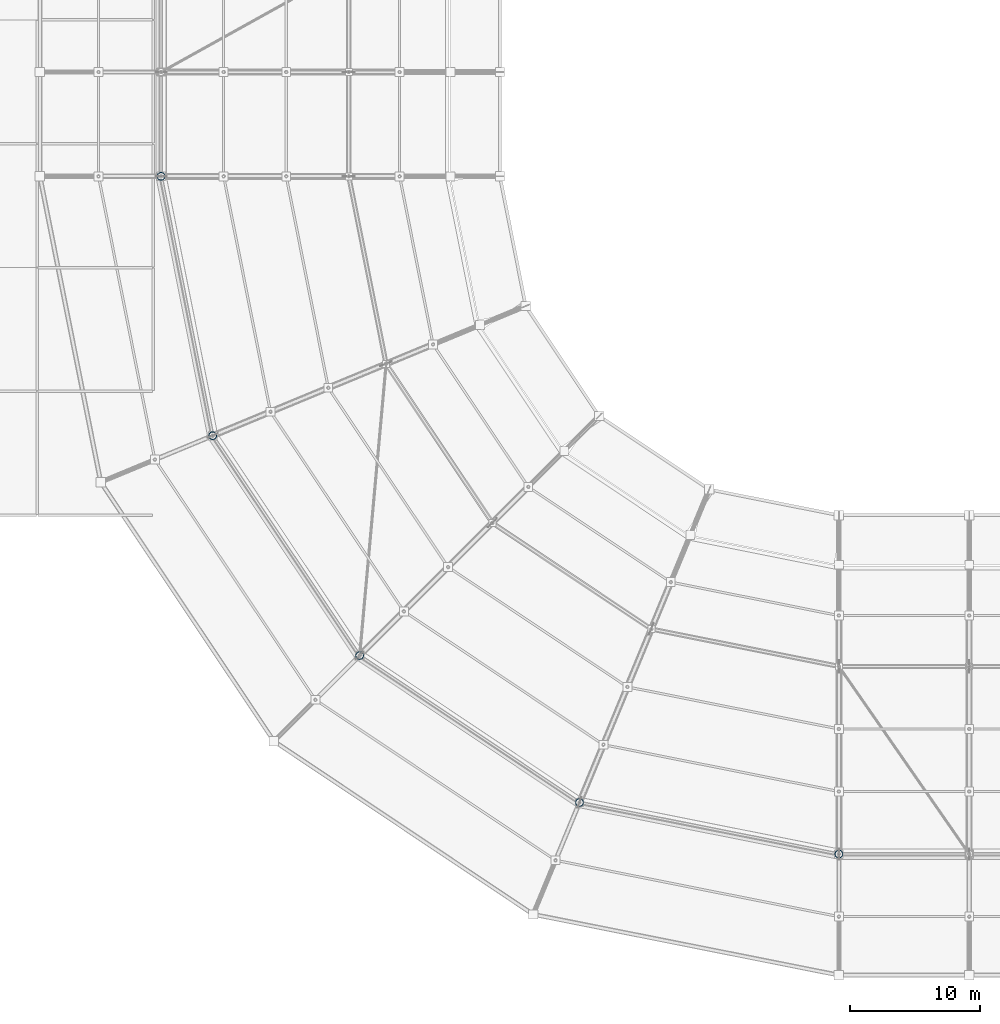
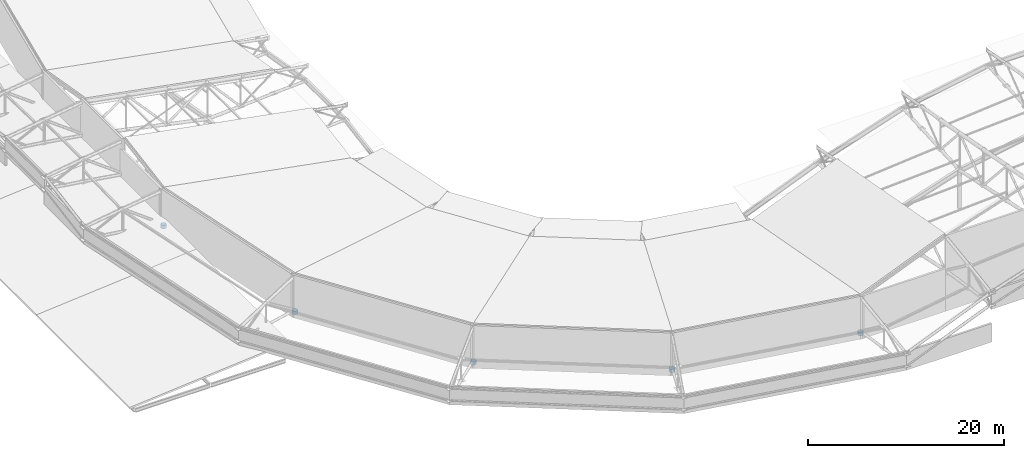
# One storey, part 8 of 146: 5 columns.
"""IFC4 building model written with IfcOpenShell, lengths in metres."""

from ifc_helpers import new_model, si_unit, direction, frame, origin, origin_2d, place, context, subcontext, project, spatial, hollow_circle, extrude, material, material_profile, profile_set, type_object, element, save


model = new_model("IFC4")

# Units and contexts
model_context = context("Model", 3, precision=1e-05, world=origin(), true_north=direction((0.0, 1.0)))
body_context = subcontext(model_context, "Body", "Model", "MODEL_VIEW")
ifc_project = project(units=[si_unit("LENGTHUNIT", "METRE"), si_unit("AREAUNIT", "SQUARE_METRE"), si_unit("VOLUMEUNIT", "CUBIC_METRE"), si_unit("PLANEANGLEUNIT", "RADIAN"), si_unit("MASSUNIT", "GRAM", prefix="KILO")], contexts=[model_context])

# Site, building, storey
site_placement = place(None, origin())
site = spatial("IfcSite", under=ifc_project, at=site_placement, CompositionType="ELEMENT")
building_placement = place(site_placement, origin())
building = spatial("IfcBuilding", under=site, at=building_placement, Name="Candeia Ridge Stadium", CompositionType="ELEMENT")
storey_placement = place(building_placement, frame((0.0, 0.0, 31.800048828125)))
storey = spatial("IfcBuildingStorey", under=building, at=storey_placement, Name="RF", CompositionType="ELEMENT", Elevation=31.800048828125)

# Columns
ifc_material = material(Name="Steel ASTM A572 Grade 50", Category="steel")
ifc_material_profile = material_profile(ifc_material, hollow_circle(Radius=0.304931640625, WallThickness=0.02490234375, at=origin_2d()), Name="CHS610x25", Category="steel")
ifc_profile_set = profile_set([ifc_material_profile], Name="Steel ASTM A572 Grade 50")
column_type = type_object("IfcColumnType", Name="Roof Mast Column CHS610x25", PredefinedType="PILASTER", material=ifc_profile_set)
for number, where, z_axis, x_axis, name in (
    (1, (19.0, 71.0, 0.0), (0.0, 0.0, 1.0), (1.0, 0.0, 0.0), "Roof truss steel mast column BC-OU-14 RF"),
    (2, (22.958251953125, 51.100341796875, 0.0), (0.0, 0.0, 1.0), (1.0, 0.0, 0.0), "Roof truss steel mast column BC-OU-15 RF"),
    (3, (34.23046875, 34.23046875, 0.0), (0.0, 0.0, 1.0), (1.0, 0.0, 0.0), "Roof truss steel mast column BC-OU-16 RF"),
    (4, (51.100341796875, 22.958251953125, 0.0), (0.0, 0.0, 1.0), (1.0, 0.0, 0.0), "Roof truss steel mast column BC-OU-17 RF"),
    (5, (71.0, 19.0, 0.0), (0.0, 0.0, 1.0), (1.0, 0.0, 0.0), "Roof truss steel mast column BC-OU-18 RF"),
):
    element("IfcColumn", number, at=place(storey_placement, frame(where, z_axis=z_axis, x_axis=x_axis)), inside=storey, type_object=column_type, Name=name, PredefinedType="PILASTER", context=body_context, shape_type="SweptSolid", body=[
        extrude(hollow_circle(Radius=0.304931640625, WallThickness=0.02490234375, at=origin_2d()), origin(), (0.0, 0.0, 1.0), 0.39990234375),
    ])

save(model, "model.ifc")
